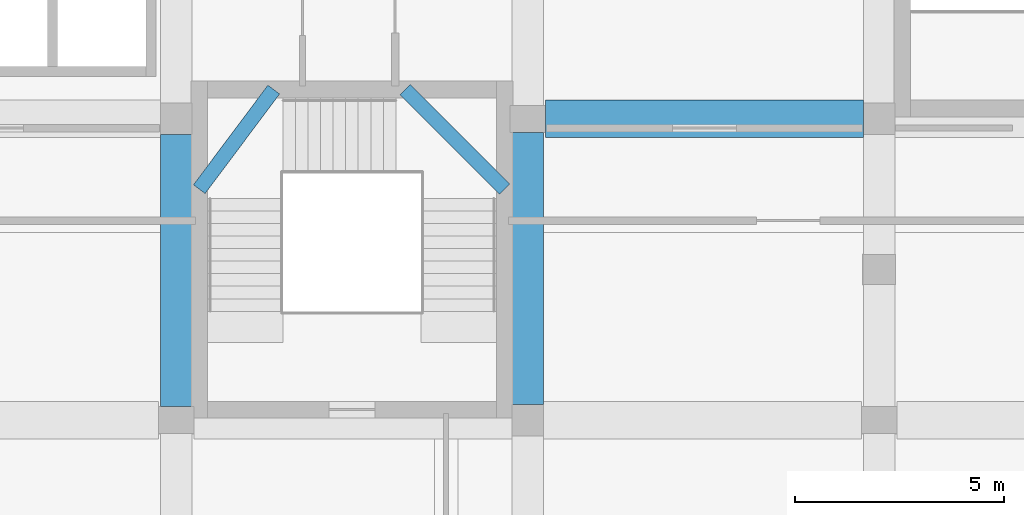
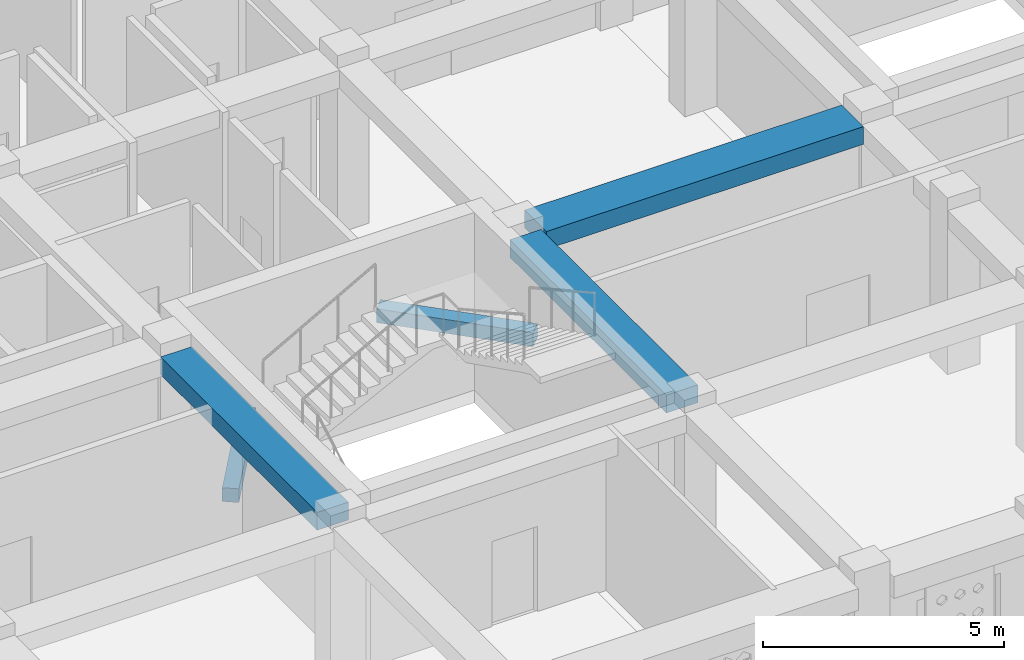
# One storey, part 8 of 121: 5 beams.
"""IFC4 building model written with IfcOpenShell, lengths in metres."""

from ifc_helpers import new_model, si_unit, derived_unit, direction, frame, origin, origin_2d, place, context, subcontext, project, spatial, rectangle, extrude, material, material_profile, profile_set, type_object, element, save


model = new_model("IFC4")

# Units and contexts
model_context = context("Model", 3, precision=1e-05, world=origin(), true_north=direction((0.0, 1.0)))
body_context = subcontext(model_context, "Body", "Model", "MODEL_VIEW")
ifc_project = project(units=[si_unit("LENGTHUNIT", "METRE"), si_unit("AREAUNIT", "SQUARE_METRE"), si_unit("VOLUMEUNIT", "CUBIC_METRE"), si_unit("PLANEANGLEUNIT", "RADIAN"), si_unit("MASSUNIT", "GRAM", prefix="KILO"), derived_unit("THERMALTRANSMITTANCEUNIT", [(si_unit("POWERUNIT", "WATT"), 1), (si_unit("LENGTHUNIT", "METRE"), -2), (si_unit("THERMODYNAMICTEMPERATUREUNIT", "KELVIN"), -1)])], contexts=[model_context])

# Site, building, storey
site_placement = place(None, origin())
site = spatial("IfcSite", under=ifc_project, at=site_placement, CompositionType="ELEMENT")
building_placement = place(site_placement, origin())
building = spatial("IfcBuilding", under=site, at=building_placement, Name="Veybourne Emporium", CompositionType="ELEMENT")
storey_placement = place(building_placement, frame((0.0, 0.0, 5.39990234375)))
storey = spatial("IfcBuildingStorey", under=building, at=storey_placement, Name="L01", CompositionType="ELEMENT", Elevation=5.39990234375)

# Beams
ifc_material = material(Name="Concrete C32/40", Category="concrete")
ifc_material_profile_1 = material_profile(ifc_material, rectangle(XDim=0.35009765625, YDim=0.35009765625, at=origin_2d()), Name="RC 350x350")
ifc_profile_set_1 = profile_set([ifc_material_profile_1], Name="Concrete C32/40")
beam_type_1 = type_object("IfcBeamType", Name="LandingBeam_LB-01", PredefinedType="BEAM", material=ifc_profile_set_1)
beam_1_placement = place(storey_placement, frame((34.14990234375, 12.719970703125, 1.14501953125), z_axis=(0.598908575934, 0.80081740595, 0.0), x_axis=(-0.80081740595, 0.598908575934, 0.0)))
element("IfcBeam", 1, at=beam_1_placement, inside=storey, type_object=beam_type_1, Name="L01 ST-12 landing 1 support beam", PredefinedType="BEAM", context=body_context, shape_type="SweptSolid", body=[
    extrude(rectangle(XDim=0.35009765625, YDim=0.35009765625, at=origin_2d()), origin(), (0.0, 0.0, 1.0), 2.97216796875),
])
beam_2_placement = place(storey_placement, frame((39.070068359375, 15.10009765625, 2.64501953125), z_axis=(0.707070512791, -0.707143047722, 0.0), x_axis=(0.707143047722, 0.707070512791, 0.0)))
element("IfcBeam", 2, at=beam_2_placement, inside=storey, type_object=beam_type_1, Name="L01 ST-12 landing 2 support beam", PredefinedType="BEAM", context=body_context, shape_type="SweptSolid", body=[
    extrude(rectangle(XDim=0.35009765625, YDim=0.35009765625, at=origin_2d()), origin(), (0.0, 0.0, 1.0), 3.36572265625),
])
ifc_material_profile_2 = material_profile(ifc_material, rectangle(XDim=0.89990234375, YDim=0.449951171875, at=origin_2d()), Name="RC 900x450")
ifc_profile_set_2 = profile_set([ifc_material_profile_2], Name="Concrete C32/40")
beam_type_2 = type_object("IfcBeamType", Name="RCBeam_BB-03", PredefinedType="BEAM", material=ifc_profile_set_2)
beam_3_placement = place(storey_placement, frame((42.425048828125, 14.39990234375, 3.955078125), z_axis=(1.0, 0.0, 0.0), x_axis=(0.0, 1.0, 0.0)))
element("IfcBeam", 3, at=beam_3_placement, inside=storey, type_object=beam_type_2, Name="L01 X-grid beam BB-03 (5,2)", PredefinedType="BEAM", context=body_context, shape_type="SweptSolid", body=[
    extrude(rectangle(XDim=0.89990234375, YDim=0.449951171875, at=origin_2d()), origin(), (0.0, 0.0, 1.0), 7.599853515625),
])
ifc_material_profile_3 = material_profile(ifc_material, rectangle(XDim=0.75, YDim=0.449951171875, at=origin_2d()), Name="RC 750x450")
ifc_profile_set_3 = profile_set([ifc_material_profile_3], Name="Concrete C32/40")
beam_type_3 = type_object("IfcBeamType", Name="RCBeam_BB-04", PredefinedType="BEAM", material=ifc_profile_set_3)
for number, where, z_axis, x_axis, name in (
    (4, (33.60009765625, 7.52490234375, 3.955078125), (0.0, 1.0, 0.0), (-1.0, 0.0, 0.0), "L01 Y-grid beam BB-04 (4,1)"),
    (5, (42.0, 7.574951171875, 3.955078125), (0.0, 1.0, 0.0), (-1.0, 0.0, 0.0), "L01 Y-grid beam BB-04 (5,1)"),
):
    element("IfcBeam", number, at=place(storey_placement, frame(where, z_axis=z_axis, x_axis=x_axis)), inside=storey, type_object=beam_type_3, Name=name, PredefinedType="BEAM", context=body_context, shape_type="SweptSolid", body=[
        extrude(rectangle(XDim=0.75, YDim=0.449951171875, at=origin_2d()), origin(), (0.0, 0.0, 1.0), 6.5),
    ])

save(model, "model.ifc")
